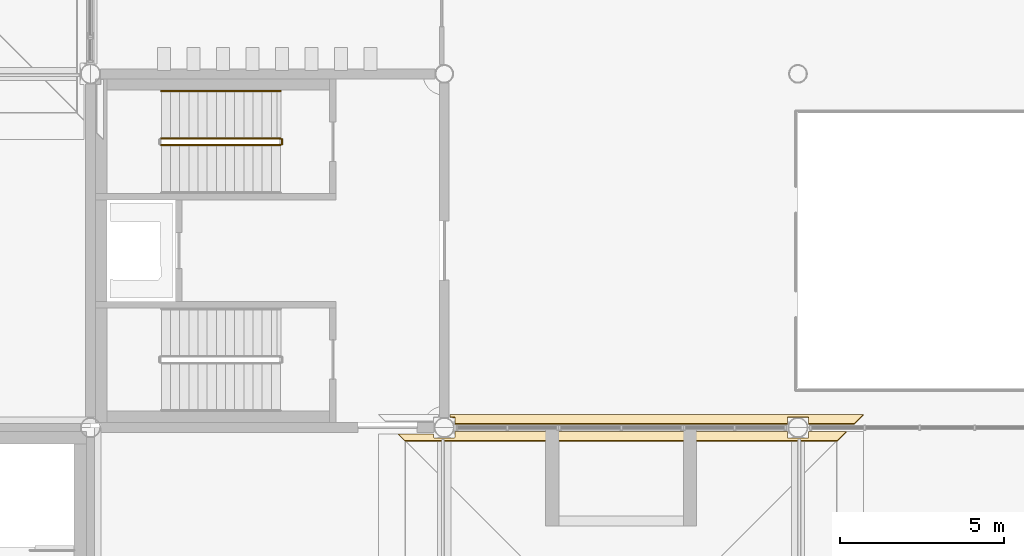
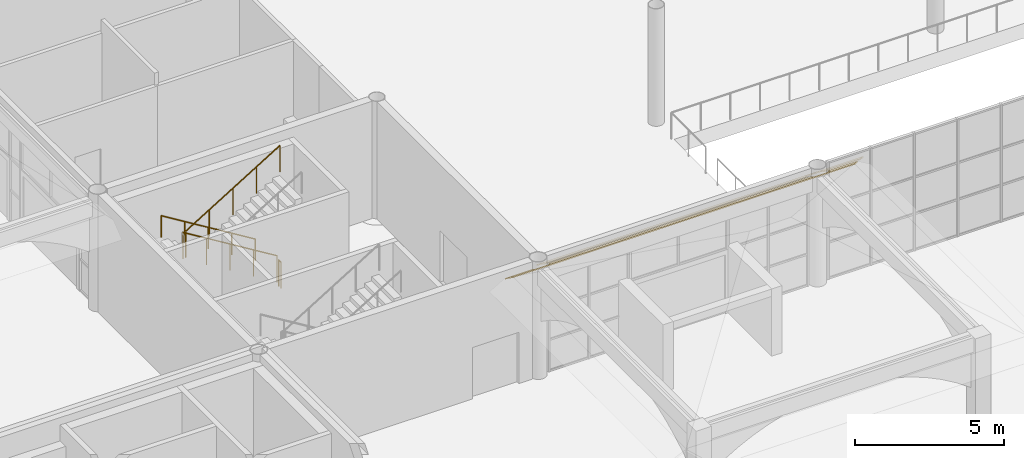
# One storey, part 79 of 91: 4 railings, 2 coverings.
"""IFC4 building model written with IfcOpenShell, lengths in metres."""

from ifc_helpers import new_model, si_unit, direction, frame, origin, origin_2d, place, context, subcontext, project, spatial, polyline, circle, outline, extrude, material, layer, layer_set, type_object, element, save


model = new_model("IFC4")

# Units and contexts
model_context = context("Model", 3, precision=1e-05, world=origin(), true_north=direction((0.0, 1.0)))
body_context = subcontext(model_context, "Body", "Model", "MODEL_VIEW")
ifc_project = project(units=[si_unit("LENGTHUNIT", "METRE"), si_unit("AREAUNIT", "SQUARE_METRE"), si_unit("VOLUMEUNIT", "CUBIC_METRE"), si_unit("PLANEANGLEUNIT", "RADIAN"), si_unit("MASSUNIT", "GRAM", prefix="KILO")], contexts=[model_context])

# Site, building, storey
site_placement = place(None, origin())
site = spatial("IfcSite", under=ifc_project, at=site_placement, CompositionType="ELEMENT")
building_placement = place(site_placement, origin())
building = spatial("IfcBuilding", under=site, at=building_placement, Name="Magnolia Steps Interchange", CompositionType="ELEMENT")
storey_placement = place(building_placement, origin())
storey = spatial("IfcBuildingStorey", under=building, at=storey_placement, Name="L00", CompositionType="ELEMENT", Elevation=0.0)

# Coverings
ifc_material_1 = material(Name="Clay pantile")
ifc_layer = layer(ifc_material_1, 0.0400390625)
ifc_layer_set = layer_set([ifc_layer], Name="Clay pantile roofing")
covering_type = type_object("IfcCoveringType", Name="Clay pantile roofing", PredefinedType="ROOFING", material=ifc_layer_set)
covering_1_placement = place(storey_placement, frame((63.675048828125, 42.094970703125, 4.597900390625), z_axis=(7.38099e-07, 0.50048425814, 0.865745636636), x_axis=(0.655331845957, -0.653933500329, 0.378035909435)))
element("IfcCovering", 1, at=covering_1_placement, inside=storey, type_object=covering_type, Name="Clay pantile eave Portico roof slab PT-S2 2 1", PredefinedType="ROOFING", context=body_context, shape_type="SweptSolid", body=[
    extrude(outline(polyline([(0.0, 0.0), (0.030548693, 0.0), (0.433228163, 0.465794828), (0.427640386, 0.489389472), (0.26446095, 0.630963499), (6.916175183, 8.297786271), (7.079354618, 8.156212244), (7.103501598, 8.154009096), (7.507827458, 8.618375521), (7.505256321, 8.647110193), (7.342076885, 8.78868422), (8.099004366, 9.661125316), (8.15980366, 9.237643776), (-0.490544708, -0.732821812), (-0.803901237, -0.732458549), (-0.096091646, 0.083368846), (0.0, 0.0)])), origin(), (0.0, 0.0, -1.0), 0.0400390625),
])
covering_2_placement = place(storey_placement, frame((75.125, 42.52001953125, 4.35205078125), z_axis=(2.360229e-06, 0.500454985349, 0.865762558462), x_axis=(4.92e-10, 0.865762558464, -0.50045498535)))
element("IfcCovering", 2, at=covering_2_placement, inside=storey, type_object=covering_type, Name="Clay pantile eave Portico roof slab PT-S2 2 3", PredefinedType="ROOFING", context=body_context, shape_type="SweptSolid", body=[
    extrude(outline(polyline([(0.0, 0.0), (0.216034101, 0.0), (0.236806938, 0.020019532), (0.235717103, 0.635742188), (0.216034101, 0.649902344), (0.0, 0.649902344), (-5e-09, 10.800048828), (0.224452214, 10.802490235), (0.236806932, 10.955078125), (0.323445139, 10.955078125), (0.323445145, -1.675048828), (1e-09, -1.395019531), (0.0, 0.0)])), origin(), (0.0, 0.0, -1.0), 0.0400390625),
])

# Railings
ifc_material_2 = material(Name="Stainless steel grade 304", Category="steel")
railing_type_1 = type_object("IfcRailingType", Name="Stair guard 1100", PredefinedType="GUARDRAIL", material=ifc_material_2)
railing_1_placement = place(storey_placement, frame((59.0, 51.22412109375, 0.17138671875)))
element("IfcRailing", 3, at=railing_1_placement, inside=storey, type_object=railing_type_1, Name="L00 ST6 stair guard 1", PredefinedType="GUARDRAIL", context=body_context, shape_type="SweptSolid", body=[
    extrude(circle(Radius=0.02392578125, at=origin_2d()), frame((0.0, 0.0, 1.076171875), z_axis=(-0.852850264322, 0.0, 0.5221555579), x_axis=(0.0, -1.0, 0.0)), (0.0, 0.0, 1.0), 4.267822265625),
    extrude(circle(Radius=0.02099609375, at=origin_2d()), origin(), (0.0, 0.0, 1.0), 1.052001953125),
    extrude(circle(Radius=0.02099609375, at=origin_2d()), frame((-0.909912109375, 0.0, 0.55712890625)), (0.0, 0.0, 1.0), 1.052001953125),
    extrude(circle(Radius=0.02099609375, at=origin_2d()), frame((-1.81982421875, 0.0, 1.1142578125)), (0.0, 0.0, 1.0), 1.052001953125),
    extrude(circle(Radius=0.02099609375, at=origin_2d()), frame((-2.72998046875, 0.0, 1.67138671875)), (0.0, 0.0, 1.0), 1.052001953125),
    extrude(circle(Radius=0.02099609375, at=origin_2d()), frame((-3.639892578125, 0.0, 2.228515625)), (0.0, 0.0, 1.0), 1.052001953125),
])
railing_2_placement = place(storey_placement, frame((55.360107421875, 51.02587890625, 2.571533203125)))
element("IfcRailing", 4, at=railing_2_placement, inside=storey, type_object=railing_type_1, Name="L00 ST6 stair guard 3", PredefinedType="GUARDRAIL", context=body_context, shape_type="SweptSolid", body=[
    extrude(circle(Radius=0.02392578125, at=origin_2d()), frame((0.0, 0.0, 1.076171875), z_axis=(0.852850264322, 0.0, 0.5221555579), x_axis=(0.0, 1.0, 0.0)), (0.0, 0.0, 1.0), 4.267822265625),
    extrude(circle(Radius=0.02099609375, at=origin_2d()), origin(), (0.0, 0.0, 1.0), 1.052001953125),
    extrude(circle(Radius=0.02099609375, at=origin_2d()), frame((0.909912109375, 0.0, 0.55712890625)), (0.0, 0.0, 1.0), 1.052001953125),
    extrude(circle(Radius=0.02099609375, at=origin_2d()), frame((1.81982421875, 0.0, 1.1142578125)), (0.0, 0.0, 1.0), 1.052001953125),
    extrude(circle(Radius=0.02099609375, at=origin_2d()), frame((2.72998046875, 0.0, 1.67138671875)), (0.0, 0.0, 1.0), 1.052001953125),
    extrude(circle(Radius=0.02099609375, at=origin_2d()), frame((3.639892578125, 0.0, 2.228515625)), (0.0, 0.0, 1.0), 1.052001953125),
])
railing_3_placement = place(storey_placement, frame((59.050048828125, 51.199951171875, 0.0)))
element("IfcRailing", 5, at=railing_3_placement, inside=storey, type_object=railing_type_1, Name="L00 ST6 stair guard 4", PredefinedType="GUARDRAIL", context=body_context, shape_type="SweptSolid", body=[
    extrude(circle(Radius=0.02392578125, at=origin_2d()), frame((0.0, 0.0, 1.076171875), z_axis=(0.0, -1.0, 0.0), x_axis=(1.0, 0.0, 0.0)), (0.0, 0.0, 1.0), 0.14990234375),
    extrude(circle(Radius=0.02099609375, at=origin_2d()), origin(), (0.0, 0.0, 1.0), 1.052001953125),
    extrude(circle(Radius=0.02099609375, at=origin_2d()), frame((0.0, -0.14990234375, 0.0)), (0.0, 0.0, 1.0), 1.052001953125),
])
ifc_material_3 = material(Name="Stainless steel grade 304", Category="steel")
railing_type_2 = type_object("IfcRailingType", Name="Stair handrail 900", PredefinedType="HANDRAIL", material=ifc_material_3)
railing_4_placement = place(storey_placement, frame((59.0, 52.676025390625, 0.17138671875)))
element("IfcRailing", 6, at=railing_4_placement, inside=storey, type_object=railing_type_2, Name="L00 ST6 stair handrail 1", PredefinedType="HANDRAIL", context=body_context, shape_type="SweptSolid", body=[
    extrude(circle(Radius=0.02392578125, at=origin_2d()), frame((0.0, 0.0, 0.8759765625), z_axis=(-0.852850264322, 0.0, 0.5221555579), x_axis=(0.0, -1.0, 0.0)), (0.0, 0.0, 1.0), 4.267822265625),
    extrude(circle(Radius=0.02099609375, at=origin_2d()), origin(), (0.0, 0.0, 1.0), 0.851806640625),
    extrude(circle(Radius=0.02099609375, at=origin_2d()), frame((-0.909912109375, 0.0, 0.55712890625)), (0.0, 0.0, 1.0), 0.851806640625),
    extrude(circle(Radius=0.02099609375, at=origin_2d()), frame((-1.81982421875, 0.0, 1.1142578125)), (0.0, 0.0, 1.0), 0.851806640625),
    extrude(circle(Radius=0.02099609375, at=origin_2d()), frame((-2.72998046875, 0.0, 1.67138671875)), (0.0, 0.0, 1.0), 0.851806640625),
    extrude(circle(Radius=0.02099609375, at=origin_2d()), frame((-3.639892578125, 0.0, 2.228515625)), (0.0, 0.0, 1.0), 0.851806640625),
])

save(model, "model.ifc")
